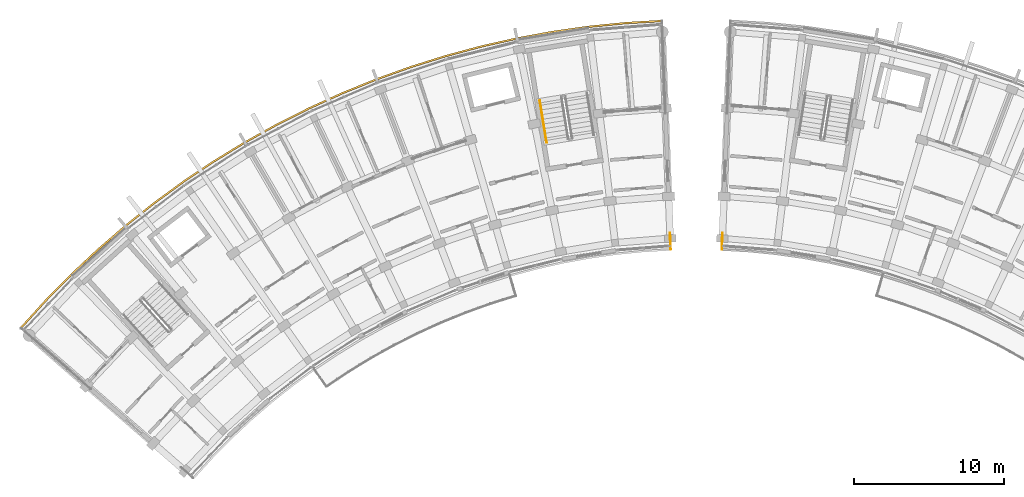
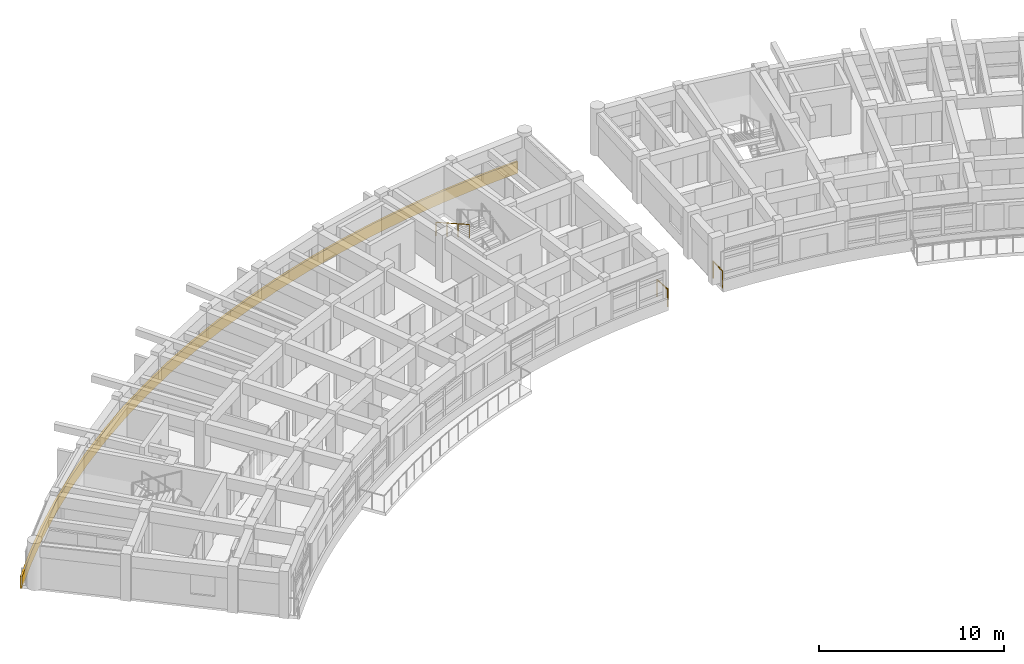
# One storey, part 43 of 56: 4 railings.
"""IFC4 building model written with IfcOpenShell, lengths in metres."""

from ifc_helpers import new_model, si_unit, direction, frame, origin, origin_2d, place, context, subcontext, project, spatial, polyline, circle, outline, extrude, material, type_object, element, save


model = new_model("IFC4")

# Units and contexts
model_context = context("Model", 3, precision=1e-05, world=origin(), true_north=direction((0.0, 1.0)))
body_context = subcontext(model_context, "Body", "Model", "MODEL_VIEW")
ifc_project = project(units=[si_unit("LENGTHUNIT", "METRE"), si_unit("AREAUNIT", "SQUARE_METRE"), si_unit("VOLUMEUNIT", "CUBIC_METRE"), si_unit("PLANEANGLEUNIT", "RADIAN"), si_unit("MASSUNIT", "GRAM", prefix="KILO")], contexts=[model_context])

# Site, building, storey
site_placement = place(None, origin())
site = spatial("IfcSite", under=ifc_project, at=site_placement, CompositionType="ELEMENT")
building_placement = place(site_placement, origin())
building = spatial("IfcBuilding", under=site, at=building_placement, Name="Zimvara Arc Housing Community", CompositionType="ELEMENT")
storey_placement = place(building_placement, frame((0.0, 0.0, 11.199951171875)))
storey = spatial("IfcBuildingStorey", under=building, at=storey_placement, Name="L03", CompositionType="ELEMENT", Elevation=11.199951171875)

# Railings
ifc_material_1 = material(Name="Anodised Aluminium AW-6063", Category="aluminium")
railing_type_1 = type_object("IfcRailingType", Name="RLG-BAL-1150", PredefinedType="BALUSTRADE", material=ifc_material_1)
railing_1_placement = place(storey_placement, frame((43.295654296875, 88.8671875, 0.0)))
element("IfcRailing", 1, at=railing_1_placement, inside=storey, type_object=railing_type_1, Name="rlg:blkA:L03:gable_in:gN", PredefinedType="BALUSTRADE", context=body_context, shape_type="SweptSolid", body=[
    extrude(circle(Radius=0.02392578125, at=origin_2d()), frame((0.0, 0.0, 1.1259765625), z_axis=(-0.038424441628, 0.999261508458, 0.0), x_axis=(-0.999261508458, -0.038424441628, 0.0)), (0.0, 0.0, 1.0), 1.080078125),
    extrude(circle(Radius=0.02099609375, at=origin_2d()), origin(), (0.0, 0.0, 1.0), 1.101806640625),
    extrude(circle(Radius=0.02099609375, at=origin_2d()), frame((-0.04150390625, 1.079345703125, 0.0)), (0.0, 0.0, 1.0), 1.101806640625),
])
railing_2_placement = place(storey_placement, frame((46.704345703125, 88.8671875, 0.0)))
element("IfcRailing", 2, at=railing_2_placement, inside=storey, type_object=railing_type_1, Name="rlg:blkB:L03:gable_in:g0", PredefinedType="BALUSTRADE", context=body_context, shape_type="SweptSolid", body=[
    extrude(circle(Radius=0.02392578125, at=origin_2d()), frame((0.0, 0.0, 1.1259765625), z_axis=(0.038424441628, 0.999261508458, 0.0), x_axis=(-0.999261508458, 0.038424441628, 0.0)), (0.0, 0.0, 1.0), 1.080078125),
    extrude(circle(Radius=0.02099609375, at=origin_2d()), origin(), (0.0, 0.0, 1.0), 1.101806640625),
    extrude(circle(Radius=0.02099609375, at=origin_2d()), frame((0.04150390625, 1.079345703125, 0.0)), (0.0, 0.0, 1.0), 1.101806640625),
])
ifc_material_2 = material(Name="Pale-Gold Anodised Aluminium AW-6063", Category="aluminium")
railing_type_2 = type_object("IfcRailingType", Name="RLG-FAS-780", PredefinedType="BALUSTRADE", material=ifc_material_2)
railing_3_placement = place(storey_placement, frame((0.0, 0.0, -0.219970703125)))
element("IfcRailing", 3, at=railing_3_placement, inside=storey, type_object=railing_type_2, Name="rlg:blkA:L03:gold_out", PredefinedType="BALUSTRADE", context=body_context, shape_type="SweptSolid", body=[
    extrude(outline(polyline([(0.049560546875, 83.574951171875), (1.682373046875, 85.377685546875), (3.387451171875, 87.112060546875), (5.162109375, 88.775634765625), (7.0029296875, 90.365234375), (8.9072265625, 91.87841796875), (10.871826171875, 93.3125), (12.893310546875, 94.665283203125), (14.96826171875, 95.934326171875), (17.09326171875, 97.11767578125), (19.264892578125, 98.213134765625), (21.4794921875, 99.218994140625), (23.733154296875, 100.1337890625), (26.0224609375, 100.955810546875), (28.34326171875, 101.68359375), (30.692138671875, 102.31591796875), (33.064453125, 102.851806640625), (35.45703125, 103.29052734375), (37.865234375, 103.631103515625), (40.28564453125, 103.873046875), (42.713623046875, 104.01611328125), (42.708984375, 104.135986328125), (40.276123046875, 103.99267578125), (37.850830078125, 103.750244140625), (35.437744140625, 103.408935546875), (33.04052734375, 102.969482421875), (30.6630859375, 102.432373046875), (28.309814453125, 101.798583984375), (25.984375, 101.069580078125), (23.6904296875, 100.245849609375), (21.43212890625, 99.329345703125), (19.213134765625, 98.3212890625), (17.037109375, 97.2236328125), (14.90771484375, 96.037841796875), (12.82861328125, 94.766357421875), (10.802978515625, 93.410888671875), (8.834716796875, 91.973876953125), (6.926513671875, 90.457763671875), (5.081787109375, 88.86474609375), (3.3037109375, 87.197998046875), (1.59521484375, 85.4599609375), (-0.041015625, 83.653564453125), (0.049560546875, 83.574951171875)])), origin(), (0.0, 0.0, 1.0), 0.780029296875),
])
ifc_material_3 = material(Name="Anodised Aluminium AW-6063", Category="aluminium")
railing_type_3 = type_object("IfcRailingType", Name="RLG-HND-900", PredefinedType="HANDRAIL", material=ifc_material_3)
railing_4_placement = place(storey_placement, frame((34.58056640625, 98.7666015625, 1.705078125)))
element("IfcRailing", 4, at=railing_4_placement, inside=storey, type_object=railing_type_3, Name="L03 ST-A2 stair handrail 2", PredefinedType="HANDRAIL", context=body_context, shape_type="SweptSolid", body=[
    extrude(circle(Radius=0.02392578125, at=origin_2d()), frame((0.0, 0.0, 0.8759765625), z_axis=(0.143721784145, -0.885666177347, 0.441519502474), x_axis=(0.987087819028, 0.160180016, 0.0)), (0.0, 0.0, 1.0), 3.15966796875),
    extrude(circle(Radius=0.02099609375, at=origin_2d()), origin(), (0.0, 0.0, 1.0), 0.851806640625),
    extrude(circle(Radius=0.02099609375, at=origin_2d()), frame((0.1513671875, -0.932861328125, 0.465087890625)), (0.0, 0.0, 1.0), 0.851806640625),
    extrude(circle(Radius=0.02099609375, at=origin_2d()), frame((0.302734375, -1.865478515625, 0.929931640625)), (0.0, 0.0, 1.0), 0.851806640625),
    extrude(circle(Radius=0.02099609375, at=origin_2d()), frame((0.4541015625, -2.79833984375, 1.39501953125)), (0.0, 0.0, 1.0), 0.851806640625),
])

save(model, "model.ifc")
